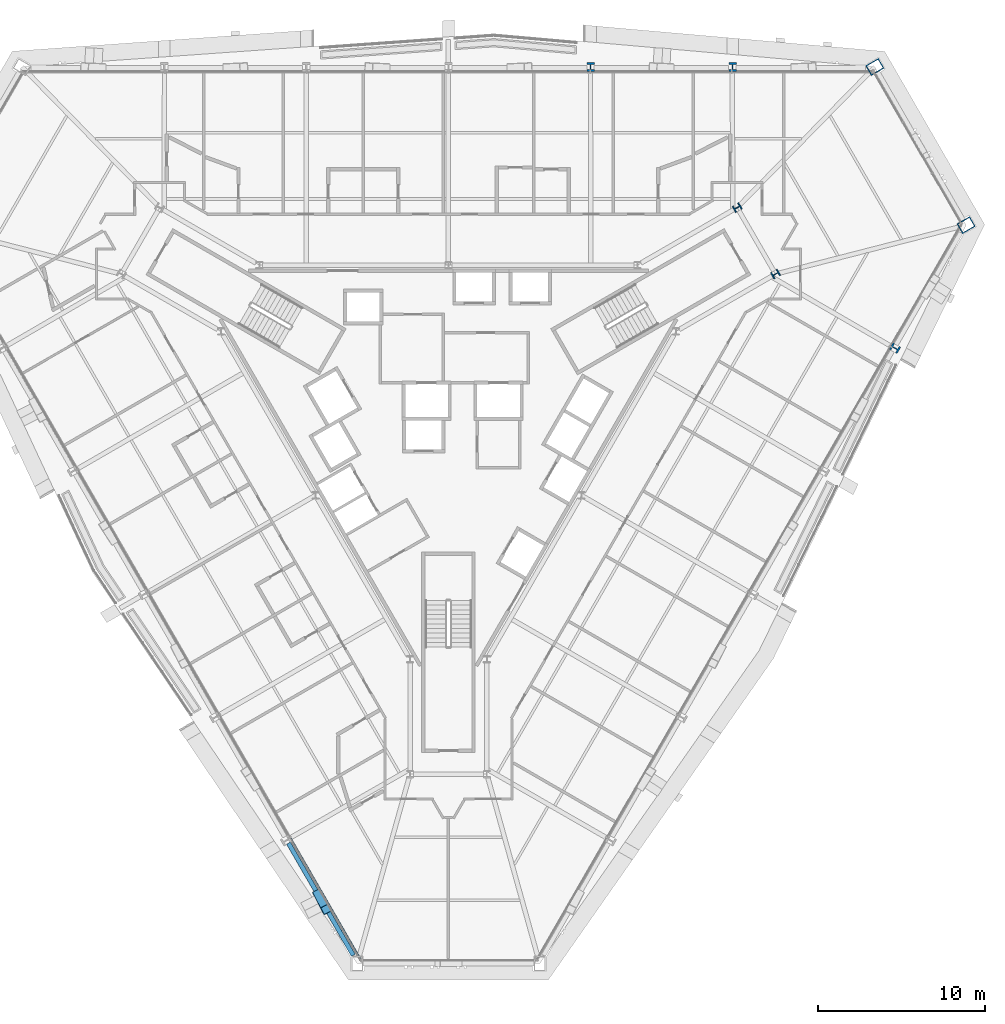
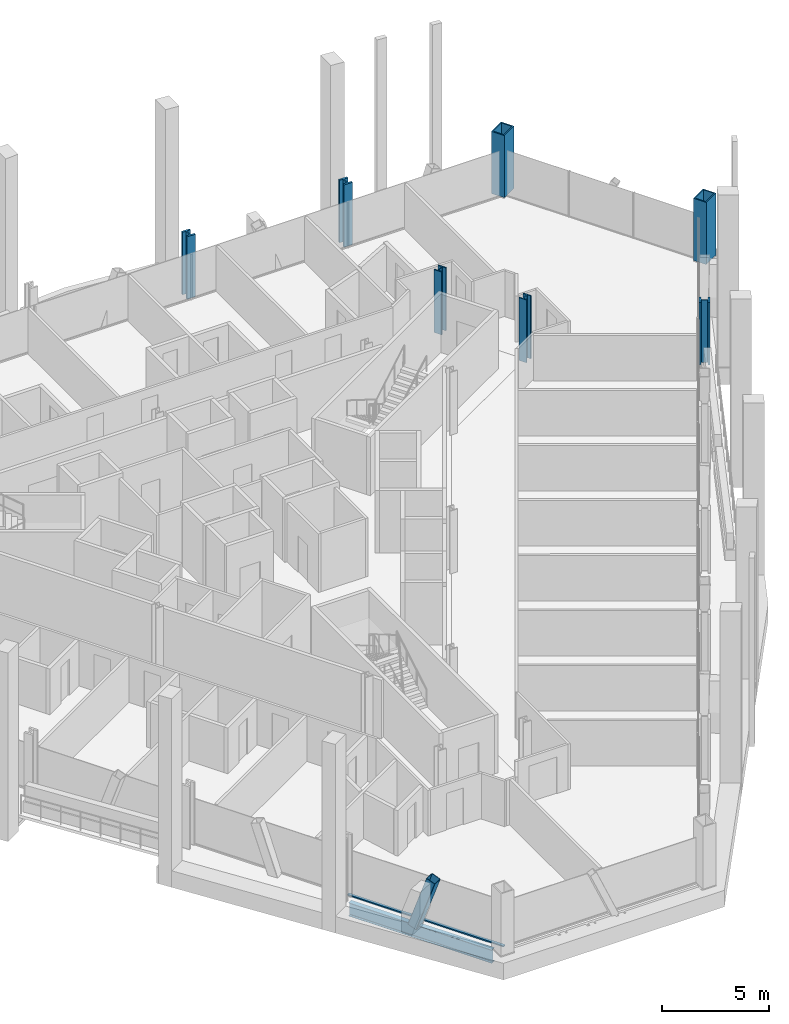
# One storey, part 2 of 18: 7 columns, 2 members, 1 beam, 1 element without a shape of its own.
"""IFC4 building model written with IfcOpenShell, lengths in metres."""

from ifc_helpers import new_model, si_unit, direction, frame, origin, origin_2d, place, context, subcontext, project, spatial, rectangle, hollow_rectangle, i_section, extrude, material, material_profile, profile_set, type_object, element, aggregate, save


model = new_model("IFC4")

# Units and contexts
model_context = context("Model", 3, precision=1e-05, world=origin(), true_north=direction((0.0, 1.0)))
body_context = subcontext(model_context, "Body", "Model", "MODEL_VIEW")
ifc_project = project(units=[si_unit("LENGTHUNIT", "METRE"), si_unit("AREAUNIT", "SQUARE_METRE"), si_unit("VOLUMEUNIT", "CUBIC_METRE"), si_unit("PLANEANGLEUNIT", "RADIAN"), si_unit("MASSUNIT", "GRAM", prefix="KILO")], contexts=[model_context])

# Site, building, storey
site_placement = place(None, origin())
site = spatial("IfcSite", under=ifc_project, at=site_placement, CompositionType="ELEMENT")
building_placement = place(site_placement, origin())
building = spatial("IfcBuilding", under=site, at=building_placement, Name="Verrane Prism Tower", CompositionType="ELEMENT")
storey_placement = place(building_placement, frame((0.0, 0.0, 47.60009765625)))
storey = spatial("IfcBuildingStorey", under=building, at=storey_placement, Name="L09", CompositionType="ELEMENT", Elevation=47.60009765625)

# Columns
ifc_material_1 = material(Name="Steel A992", Category="steel")
ifc_material_profile_1 = material_profile(ifc_material_1, i_section(OverallWidth=0.419189453125, OverallDepth=0.45458984375, WebThickness=0.042236328125, FlangeThickness=0.067626953125, FilletRadius=0.01513671875, at=origin_2d()), Name="W14x370")
ifc_profile_set_1 = profile_set([ifc_material_profile_1], Name="Steel A992")
column_type_1 = type_object("IfcColumnType", Name="Core corner column W14x370", PredefinedType="COLUMN", material=ifc_profile_set_1)
for number, where, z_axis, x_axis, name in (
    (1, (19.60009765625, 8.659912109375, 0.0), (0.0, 0.0, 1.0), (0.5, -0.866025403784, 0.0), "Core corner column CK-NEm L09"),
    (2, (17.300048828125, 12.639892578125, 0.0), (0.0, 0.0, 1.0), (0.5, -0.866025403784, 0.0), "Core corner column CK-NEp L09"),
):
    element("IfcColumn", number, at=place(storey_placement, frame(where, z_axis=z_axis, x_axis=x_axis)), inside=storey, type_object=column_type_1, Name=name, PredefinedType="COLUMN", context=body_context, shape_type="SweptSolid", body=[
        extrude(i_section(OverallWidth=0.419189453125, OverallDepth=0.45458984375, WebThickness=0.042236328125, FlangeThickness=0.067626953125, FilletRadius=0.01513671875, at=origin_2d()), origin(), (0.0, 0.0, 1.0), 3.599853515625),
    ])
ifc_material_2 = material(Name="Steel A572 Grade 50", Category="steel")
ifc_material_profile_2 = material_profile(ifc_material_2, hollow_rectangle(XDim=0.699951171875, YDim=0.89990234375, WallThickness=0.06494140625, at=origin_2d()), Name="BOX 900x700x65")
ifc_profile_set_2 = profile_set([ifc_material_profile_2], Name="Steel A572 Grade 50")
column_type_2 = type_object("IfcColumnType", Name="Megacolumn BOX 900x700x65", PredefinedType="COLUMN", material=ifc_profile_set_2)
for number, where, z_axis, x_axis, name in (
    (3, (25.550048828125, 21.070068359375, 0.039794921875), (0.0, 0.0, 1.0), (0.5, -0.866025403784, 0.0), "Megacolumn MC-NE.b L09"),
    (4, (31.02001953125, 11.590087890625, 0.039794921875), (0.0, 0.0, 1.0), (0.5, -0.866025403784, 0.0), "Megacolumn MC-NE.a L09"),
):
    element("IfcColumn", number, at=place(storey_placement, frame(where, z_axis=z_axis, x_axis=x_axis)), inside=storey, type_object=column_type_2, Name=name, PredefinedType="COLUMN", context=body_context, shape_type="SweptSolid", body=[
        extrude(hollow_rectangle(XDim=0.699951171875, YDim=0.89990234375, WallThickness=0.06494140625, at=origin_2d()), origin(), (0.0, 0.0, 1.0), 3.56005859375),
    ])
ifc_material_3 = material(Name="Steel A992", Category="steel")
ifc_material_profile_3 = material_profile(ifc_material_3, i_section(OverallWidth=0.44189453125, OverallDepth=0.53076171875, WebThickness=0.06591796875, FlangeThickness=0.105712890625, FilletRadius=0.01513671875, at=origin_2d()), Name="W14x605")
ifc_profile_set_3 = profile_set([ifc_material_profile_3], Name="Steel A992")
column_type_3 = type_object("IfcColumnType", Name="Perimeter column W14x605", PredefinedType="COLUMN", material=ifc_profile_set_3)
for number, where, z_axis, x_axis, name in (
    (5, (17.030029296875, 21.070068359375, 0.02490234375), (0.0, 0.0, 1.0), (1.0, 0.0, 0.0), "Perimeter column PC-N1 L09"),
    (6, (8.52001953125, 21.070068359375, 0.02490234375), (0.0, 0.0, 1.0), (1.0, 0.0, 0.0), "Perimeter column PC-N2 L09"),
    (7, (26.760009765625, 4.219970703125, 0.02490234375), (0.0, 0.0, 1.0), (-0.5, -0.866025403784, 0.0), "Perimeter column PC-SE5 L09"),
):
    element("IfcColumn", number, at=place(storey_placement, frame(where, z_axis=z_axis, x_axis=x_axis)), inside=storey, type_object=column_type_3, Name=name, PredefinedType="COLUMN", context=body_context, shape_type="SweptSolid", body=[
        extrude(i_section(OverallWidth=0.44189453125, OverallDepth=0.53076171875, WebThickness=0.06591796875, FlangeThickness=0.105712890625, FilletRadius=0.01513671875, at=origin_2d()), origin(), (0.0, 0.0, 1.0), 3.574951171875),
    ])

# Member
ifc_material_4 = material(Name="Steel A1085 Grade A", Category="steel")
ifc_material_profile_4 = material_profile(ifc_material_4, hollow_rectangle(XDim=0.508056640625, YDim=0.508056640625, WallThickness=0.025390625, InnerFilletRadius=0.0126953125, OuterFilletRadius=0.0380859375, at=origin_2d()), Name="HSS20x20x1")
ifc_profile_set_4 = profile_set([ifc_material_profile_4], Name="Steel A1085 Grade A")
member_type_1 = type_object("IfcMemberType", Name="Facade brace HSS20x20x1", PredefinedType="BRACE", material=ifc_profile_set_4)
member_1_placement = place(storey_placement, frame((-7.821533203125, -28.49072265625, -0.24267578125), z_axis=(0.149234681563, -0.289875900743, 0.94535758948), x_axis=(0.889093559861, 0.457725509245, 0.0)))
element("IfcMember", 8, at=member_1_placement, inside=storey, type_object=member_type_1, Name="Facade brace SW5 L09", PredefinedType="BRACE", context=body_context, shape_type="SweptSolid", body=[
    extrude(hollow_rectangle(XDim=0.508056640625, YDim=0.508056640625, WallThickness=0.025390625, InnerFilletRadius=0.0126953125, OuterFilletRadius=0.0380859375, at=origin_2d()), origin(), (0.0, 0.0, 1.0), 3.181884765625),
])

# Beam
ifc_material_5 = material(Name="Steel A992", Category="steel")
ifc_material_profile_5 = material_profile(ifc_material_5, i_section(OverallWidth=0.2666015625, OverallDepth=0.7568359375, WebThickness=0.013916015625, FlangeThickness=0.019287109375, FilletRadius=0.0166015625, at=origin_2d()), Name="W30x108")
ifc_profile_set_5 = profile_set([ifc_material_profile_5], Name="Steel A992")
beam_type = type_object("IfcBeamType", Name="Spandrel beam W30x108", PredefinedType="SPANDREL", material=ifc_profile_set_5)
beam_placement = place(storey_placement, frame((-9.58544921875, -25.43896484375, -0.53857421875), z_axis=(0.500397597076, -0.86579572928, 0.0), x_axis=(0.86579572928, 0.500397597076, 0.0)))
element("IfcBeam", 9, at=beam_placement, inside=storey, type_object=beam_type, Name="Spandrel beam L09", PredefinedType="SPANDREL", context=body_context, shape_type="SweptSolid", body=[
    extrude(i_section(OverallWidth=0.2666015625, OverallDepth=0.7568359375, WebThickness=0.013916015625, FlangeThickness=0.019287109375, FilletRadius=0.0166015625, at=origin_2d()), origin(), (0.0, 0.0, 1.0), 7.761962890625),
])

# Curtain wall, member
ifc_material_6 = material(Name="Aluminium framed insulated glazing", Category="aluminium")
curtain_wall_type = type_object("IfcCurtainWallType", Name="Curtain wall CW-A 8400 module", PredefinedType="NOTDEFINED", material=ifc_material_6)
curtain_wall_placement = place(storey_placement, origin())
curtain_wall = element("IfcCurtainWall", 10, at=curtain_wall_placement, inside=storey, type_object=curtain_wall_type, Name="Glazed curtain wall south-west face L09", PredefinedType="NOTDEFINED")
ifc_material_7 = material(Name="Aluminium alloy 6063-T6", Category="aluminium")
ifc_material_profile_6 = material_profile(ifc_material_7, rectangle(XDim=0.14990234375, YDim=0.070068359375, at=origin_2d()), Name="Transom 70x150 aluminium")
ifc_profile_set_6 = profile_set([ifc_material_profile_6], Name="Aluminium alloy 6063-T6")
member_type_2 = type_object("IfcMemberType", Name="Transom 70x150 aluminium", PredefinedType="USERDEFINED", material=ifc_profile_set_6)
member_2_placement = place(storey_placement, frame((-9.496337890625, -25.134033203125, 0.034912109375), z_axis=(0.500014000576, -0.866017320397, 0.0), x_axis=(0.866017320397, 0.500014000576, 0.0)))
member_2 = element("IfcMember", 11, at=member_2_placement, type_object=member_type_2, Name="CW09.4 transom 6", ObjectType="TRANSOM", PredefinedType="USERDEFINED", context=body_context, shape_type="SweptSolid", body=[
    extrude(rectangle(XDim=0.14990234375, YDim=0.070068359375, at=origin_2d()), origin(), (0.0, 0.0, 1.0), 8.456787109375),
])
aggregate(curtain_wall, [member_2])

save(model, "model.ifc")
